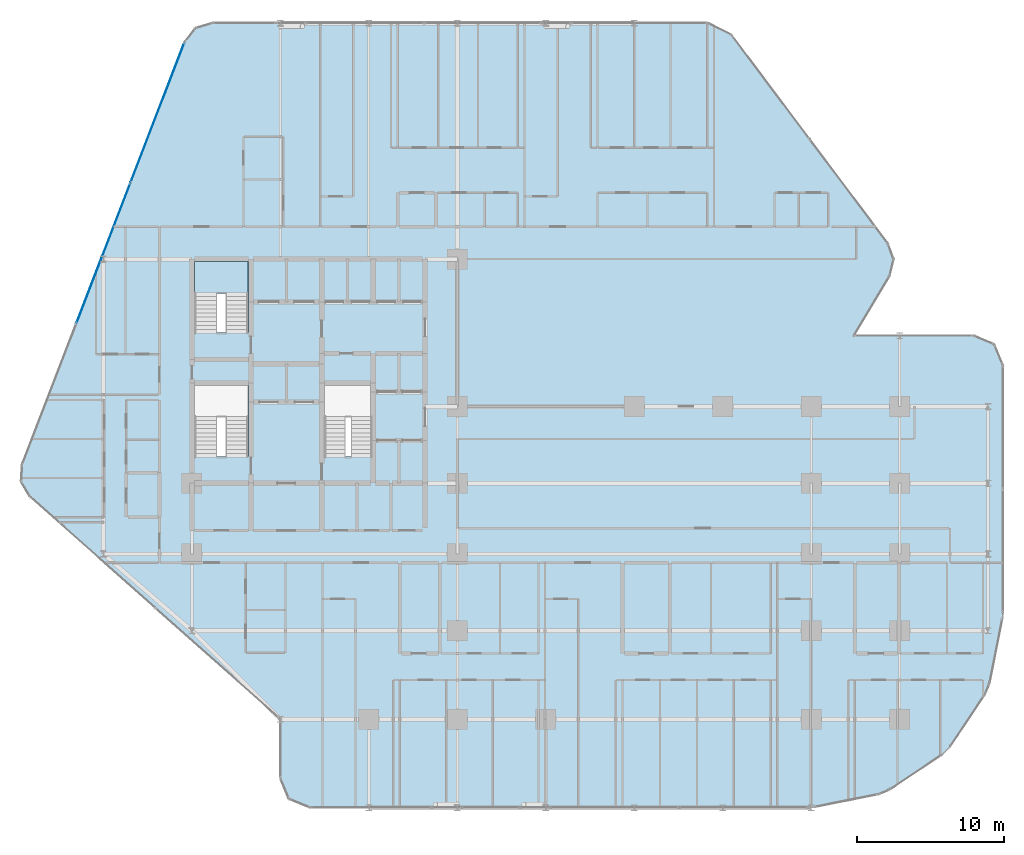
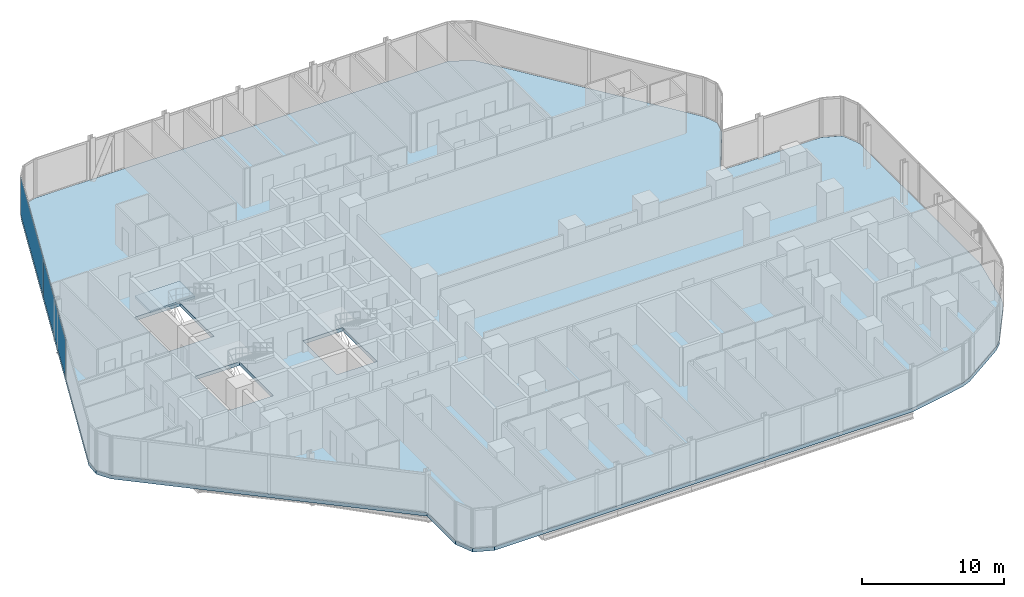
# One storey, part 23 of 33: 2 plates, 2 slabs, 2 elements without a shape of their own.
"""IFC4 building model written with IfcOpenShell, lengths in metres."""

from ifc_helpers import new_model, si_unit, direction, frame, origin, origin_2d, place, context, subcontext, project, spatial, polyline, rectangle, outline, extrude, material, layer, layer_set, type_object, element, aggregate, save


model = new_model("IFC4")

# Units and contexts
model_context = context("Model", 3, precision=1e-05, world=origin(), true_north=direction((0.0, 1.0)))
body_context = subcontext(model_context, "Body", "Model", "MODEL_VIEW")
ifc_project = project(units=[si_unit("LENGTHUNIT", "METRE"), si_unit("AREAUNIT", "SQUARE_METRE"), si_unit("VOLUMEUNIT", "CUBIC_METRE"), si_unit("PLANEANGLEUNIT", "RADIAN"), si_unit("MASSUNIT", "GRAM", prefix="KILO")], contexts=[model_context])

# Site, building, storey
site_placement = place(None, origin())
site = spatial("IfcSite", under=ifc_project, at=site_placement, CompositionType="ELEMENT")
building_placement = place(site_placement, origin())
building = spatial("IfcBuilding", under=site, at=building_placement, Name="Keshet Zoharim Tower", CompositionType="ELEMENT")
storey_placement = place(building_placement, frame((0.0, 0.0, 35.10009765625)))
storey = spatial("IfcBuildingStorey", under=building, at=storey_placement, Name="L07", CompositionType="ELEMENT", Elevation=35.10009765625)

# Curtain wall, plates
ifc_material_1 = material(Name="Aluminium 6063-T6", Category="aluminium")
ifc_layer_1 = layer(ifc_material_1, 0.179931640625)
ifc_layer_set_1 = layer_set([ifc_layer_1], Name="Aluminium 6063-T6")
curtain_wall_type = type_object("IfcCurtainWallType", Name="CW-SYS-01", PredefinedType="NOTDEFINED", material=ifc_layer_set_1)
curtain_wall_placement = place(storey_placement, origin())
curtain_wall = element("IfcCurtainWall", 1, at=curtain_wall_placement, inside=storey, type_object=curtain_wall_type, Name="L07 Unitised Curtain Wall 04", PredefinedType="NOTDEFINED")
ifc_material_2 = material(Name="Insulated Low-E Clear Glass", Category="glass")
ifc_layer_2 = layer(ifc_material_2, 0.035888671875)
ifc_layer_set_2 = layer_set([ifc_layer_2], Name="Insulated Low-E Clear Glass")
plate_type = type_object("IfcPlateType", Name="CWP-01", PredefinedType="CURTAIN_PANEL", material=ifc_layer_set_2)
plate_1_placement = place(storey_placement, frame((9.001953125, 38.305419921875, 0.06982421875), z_axis=(0.0, 0.0, 1.0), x_axis=(0.358990003907, 0.933341404361, 0.0)))
plate_1 = element("IfcPlate", 2, at=plate_1_placement, type_object=plate_type, Name="CW-01 panel 2.1", PredefinedType="CURTAIN_PANEL", context=body_context, shape_type="SweptSolid", body=[
    extrude(rectangle(XDim=10.153076171875, YDim=0.035888671875, at=origin_2d()), origin(), (0.0, 0.0, 1.0), 3.2451171875),
])
plate_2_placement = place(storey_placement, frame((12.665771484375, 47.830810546875, 0.06982421875), z_axis=(0.0, 0.0, 1.0), x_axis=(0.358990003907, 0.933341404361, 0.0)))
plate_2 = element("IfcPlate", 3, at=plate_2_placement, type_object=plate_type, Name="CW-01 panel 3.1", PredefinedType="CURTAIN_PANEL", context=body_context, shape_type="SweptSolid", body=[
    extrude(rectangle(XDim=10.1181640625, YDim=0.035888671875, at=origin_2d()), origin(), (0.0, 0.0, 1.0), 3.2451171875),
])
aggregate(curtain_wall, [plate_1, plate_2])

# Stair, slab
ifc_material_3 = material(Name="Concrete C50/60", Category="concrete")
stair_type = type_object("IfcStairType", Name="STR-EXIT-135", PredefinedType="HALF_TURN_STAIR", material=ifc_material_3)
stair_placement = place(storey_placement, origin())
stair = element("IfcStair", 4, at=stair_placement, inside=storey, type_object=stair_type, Name="L07 Enclosed Exit Stair ST-02", PredefinedType="HALF_TURN_STAIR")
ifc_layer_3 = layer(ifc_material_3, 0.199951171875)
ifc_layer_set_3 = layer_set([ifc_layer_3], Name="Concrete C50/60")
slab_type_1 = type_object("IfcSlabType", Name="SLB-LND-200", PredefinedType="LANDING", material=ifc_layer_set_3)
slab_1_placement = place(storey_placement, frame((0.0, 0.0, 1.64990234375)))
slab_1 = element("IfcSlab", 5, at=slab_1_placement, type_object=slab_type_1, Name="ST-02 landing 1", PredefinedType="LANDING", context=body_context, shape_type="SweptSolid", body=[
    extrude(outline(polyline([(15.179931640625, 35.56005859375), (18.820068359375, 35.56005859375), (18.820068359375, 37.719970703125), (15.179931640625, 37.719970703125), (15.179931640625, 35.56005859375)])), origin(), (0.0, 0.0, 1.0), 0.199951171875),
])
aggregate(stair, [slab_1])

# Slab
ifc_layer_4 = layer(ifc_material_3, 0.31494140625)
ifc_layer_set_4 = layer_set([ifc_layer_4], Name="Concrete C50/60")
slab_type_2 = type_object("IfcSlabType", Name="SLB-LOW-260", PredefinedType="FLOOR", material=ifc_layer_set_4)
slab_2_placement = place(storey_placement, frame((0.0, 0.0, -0.315185546875)))
element("IfcSlab", 6, at=slab_2_placement, inside=storey, type_object=slab_type_2, Name="L07 Structural Floor Slab 1", PredefinedType="FLOOR", context=body_context, shape_type="SweptSolid", body=[
    extrude(outline(polyline([(21.0, 6.699951171875), (4.034912109375, 21.780029296875), (3.419921875, 22.802001953125), (3.4970703125, 23.992919921875), (14.507080078125, 52.617919921875), (15.240966796875, 53.549072265625), (16.3740234375, 53.89990234375), (50.0, 53.89990234375), (51.60009765625, 53.10009765625), (62.193115234375, 38.97607421875), (62.590087890625, 37.87890625), (62.30810546875, 36.7470703125), (59.8798828125, 32.699951171875), (68.0, 32.699951171875), (69.4140625, 32.114013671875), (70.0, 30.699951171875), (70.0, 13.89697265625), (69.9619140625, 13.507080078125), (69.087890625, 9.114990234375), (68.7890625, 8.39404296875), (66.4130859375, 4.837890625), (65.862060546875, 4.287109375), (62.305908203125, 1.910888671875), (61.5849609375, 1.612060546875), (57.193115234375, 0.738037109375), (56.802978515625, 0.699951171875), (23.0, 0.699951171875), (21.5859375, 1.285888671875), (21.0, 2.699951171875), (21.0, 6.699951171875)]), holes=[polyline([(15.179931640625, 24.52001953125), (18.820068359375, 24.52001953125), (18.820068359375, 29.320068359375), (15.179931640625, 29.320068359375), (15.179931640625, 24.52001953125)]), polyline([(15.179931640625, 32.919921875), (18.820068359375, 32.919921875), (18.820068359375, 37.719970703125), (15.179931640625, 37.719970703125), (15.179931640625, 32.919921875)]), polyline([(23.97998046875, 24.52001953125), (27.219970703125, 24.52001953125), (27.219970703125, 29.320068359375), (23.97998046875, 29.320068359375), (23.97998046875, 24.52001953125)])]), origin(), (0.0, 0.0, 1.0), 0.315185546875),
])

save(model, "model.ifc")
